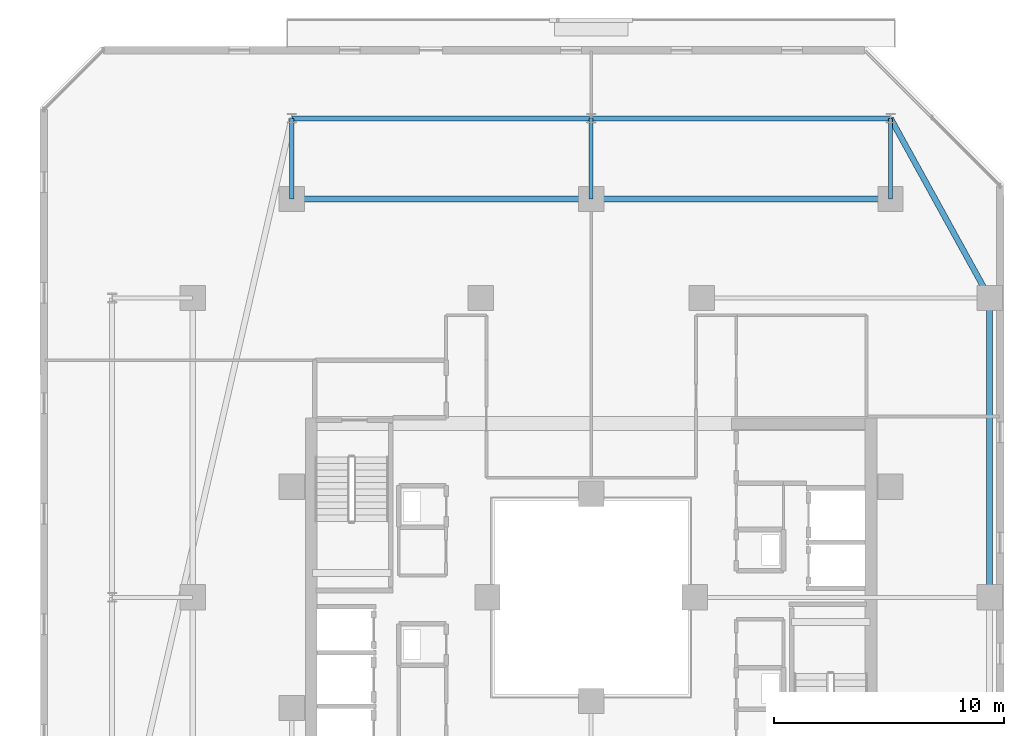
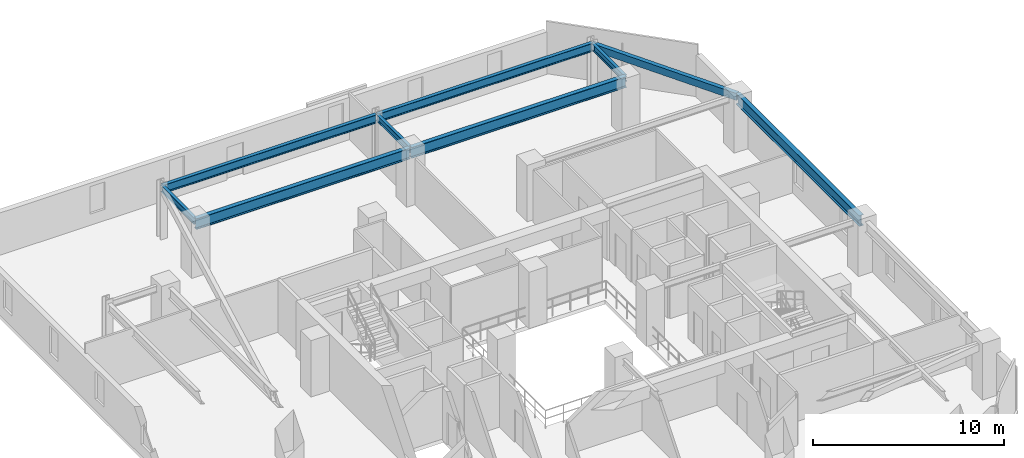
# One storey, part 16 of 32: 9 beams.
"""IFC4 building model written with IfcOpenShell, lengths in metres."""

from ifc_helpers import new_model, si_unit, direction, frame, origin, origin_2d, place, context, subcontext, project, spatial, hollow_rectangle, i_section, extrude, material, material_profile, profile_set, type_object, element, save


model = new_model("IFC4")

# Units and contexts
model_context = context("Model", 3, precision=1e-05, world=origin(), true_north=direction((0.0, 1.0)))
body_context = subcontext(model_context, "Body", "Model", "MODEL_VIEW")
ifc_project = project(units=[si_unit("LENGTHUNIT", "METRE"), si_unit("AREAUNIT", "SQUARE_METRE"), si_unit("VOLUMEUNIT", "CUBIC_METRE"), si_unit("PLANEANGLEUNIT", "RADIAN"), si_unit("MASSUNIT", "GRAM", prefix="KILO")], contexts=[model_context])

# Site, building, storey
site_placement = place(None, origin())
site = spatial("IfcSite", under=ifc_project, at=site_placement, CompositionType="ELEMENT")
building_placement = place(site_placement, origin())
building = spatial("IfcBuilding", under=site, at=building_placement, Name="Thornwick Lancets Civic Towers", CompositionType="ELEMENT")
storey_placement = place(building_placement, frame((0.0, 0.0, 178.5)))
storey = spatial("IfcBuildingStorey", under=building, at=storey_placement, Name="L47", CompositionType="ELEMENT", Elevation=178.5)

# Beams
ifc_material = material(Name="Steel S355JR", Category="steel")
ifc_material_profile_1 = material_profile(ifc_material, i_section(OverallWidth=0.210693359375, OverallDepth=0.53955078125, WebThickness=0.01171875, FlangeThickness=0.018798828125, FilletRadius=0.0126953125, at=origin_2d()), Name="UKB 533x210x109")
ifc_profile_set_1 = profile_set([ifc_material_profile_1], Name="Steel S355JR")
beam_type_1 = type_object("IfcBeamType", Name="BM_EDGE_533_109", PredefinedType="SPANDREL", material=ifc_profile_set_1)
beam_1_placement = place(storey_placement, frame((101.5, 47.800048828125, 3.09033203125), z_axis=(-1.0, 0.0, 0.0), x_axis=(0.0, -1.0, 0.0)))
element("IfcBeam", 1, at=beam_1_placement, inside=storey, type_object=beam_type_1, Name="BM-EDGE-L47-B-S1-1", PredefinedType="SPANDREL", context=body_context, shape_type="SweptSolid", body=[
    extrude(i_section(OverallWidth=0.210693359375, OverallDepth=0.53955078125, WebThickness=0.01171875, FlangeThickness=0.018798828125, FilletRadius=0.0126953125, at=origin_2d()), origin(), (0.0, 0.0, 1.0), 13.0),
])
beam_2_placement = place(storey_placement, frame((88.419921875, 47.800048828125, 3.09033203125), z_axis=(-1.0, 0.0, 0.0), x_axis=(0.0, -1.0, 0.0)))
element("IfcBeam", 2, at=beam_2_placement, inside=storey, type_object=beam_type_1, Name="BM-EDGE-L47-B-S1-2", PredefinedType="SPANDREL", context=body_context, shape_type="SweptSolid", body=[
    extrude(i_section(OverallWidth=0.210693359375, OverallDepth=0.53955078125, WebThickness=0.01171875, FlangeThickness=0.018798828125, FilletRadius=0.0126953125, at=origin_2d()), origin(), (0.0, 0.0, 1.0), 12.919921875),
])
ifc_material_profile_2 = material_profile(ifc_material, i_section(OverallWidth=0.255859375, OverallDepth=0.69287109375, WebThickness=0.014404296875, FlangeThickness=0.023681640625, FilletRadius=0.01513671875, at=origin_2d()), Name="UKB 686x254x170")
ifc_profile_set_2 = profile_set([ifc_material_profile_2], Name="Steel S355JR")
beam_type_2 = type_object("IfcBeamType", Name="BM_GIRD_686_170", PredefinedType="BEAM", material=ifc_profile_set_2)
beam_3_placement = place(storey_placement, frame((105.800048828125, 27.080078125, 3.013671875), z_axis=(0.0, 1.0, 0.0), x_axis=(-1.0, 0.0, 0.0)))
element("IfcBeam", 3, at=beam_3_placement, inside=storey, type_object=beam_type_2, Name="BM-SPINE-L47-B-1-2", PredefinedType="BEAM", context=body_context, shape_type="SweptSolid", body=[
    extrude(i_section(OverallWidth=0.255859375, OverallDepth=0.69287109375, WebThickness=0.014404296875, FlangeThickness=0.023681640625, FilletRadius=0.01513671875, at=origin_2d()), origin(), (0.0, 0.0, 1.0), 12.919921875),
])
beam_4_placement = place(storey_placement, frame((101.5, 44.300048828125, 3.013671875), z_axis=(-1.0, 0.0, 0.0), x_axis=(0.0, -1.0, 0.0)))
element("IfcBeam", 4, at=beam_4_placement, inside=storey, type_object=beam_type_2, Name="BM-SPINE-L47-B-3-4", PredefinedType="BEAM", context=body_context, shape_type="SweptSolid", body=[
    extrude(i_section(OverallWidth=0.255859375, OverallDepth=0.69287109375, WebThickness=0.014404296875, FlangeThickness=0.023681640625, FilletRadius=0.01513671875, at=origin_2d()), origin(), (0.0, 0.0, 1.0), 13.0),
])
beam_5_placement = place(storey_placement, frame((88.419921875, 44.300048828125, 3.013671875), z_axis=(-1.0, 0.0, 0.0), x_axis=(0.0, -1.0, 0.0)))
element("IfcBeam", 5, at=beam_5_placement, inside=storey, type_object=beam_type_2, Name="BM-SPINE-L47-B-4-5", PredefinedType="BEAM", context=body_context, shape_type="SweptSolid", body=[
    extrude(i_section(OverallWidth=0.255859375, OverallDepth=0.69287109375, WebThickness=0.014404296875, FlangeThickness=0.023681640625, FilletRadius=0.01513671875, at=origin_2d()), origin(), (0.0, 0.0, 1.0), 12.919921875),
])
ifc_material_profile_3 = material_profile(ifc_material, i_section(OverallWidth=0.179443359375, OverallDepth=0.412841796875, WebThickness=0.009521484375, FlangeThickness=0.01611328125, FilletRadius=0.01025390625, at=origin_2d()), Name="UKB 406x178x74")
ifc_profile_set_3 = profile_set([ifc_material_profile_3], Name="Steel S355JR")
beam_type_3 = type_object("IfcBeamType", Name="BM_JOIST_406_74", PredefinedType="JOIST", material=ifc_profile_set_3)
for number, where, z_axis, x_axis, name in (
    (6, (101.5, 44.300048828125, 3.153564453125), (0.0, 1.0, 0.0), (-1.0, 0.0, 0.0), "BM-RAD-L47-B04"),
    (7, (88.5, 44.300048828125, 3.153564453125), (0.0, 1.0, 0.0), (-1.0, 0.0, 0.0), "BM-RAD-L47-B05"),
    (8, (75.5, 44.300048828125, 3.153564453125), (0.0, 1.0, 0.0), (-1.0, 0.0, 0.0), "BM-RAD-L47-B06"),
):
    element("IfcBeam", number, at=place(storey_placement, frame(where, z_axis=z_axis, x_axis=x_axis)), inside=storey, type_object=beam_type_3, Name=name, PredefinedType="JOIST", context=body_context, shape_type="SweptSolid", body=[
        extrude(i_section(OverallWidth=0.179443359375, OverallDepth=0.412841796875, WebThickness=0.009521484375, FlangeThickness=0.01611328125, FilletRadius=0.01025390625, at=origin_2d()), origin(), (0.0, 0.0, 1.0), 3.5),
    ])
ifc_material_profile_4 = material_profile(ifc_material, hollow_rectangle(XDim=0.25, YDim=0.449951171875, WallThickness=0.01611328125, at=origin_2d()), Name="RHS 450x250x16")
ifc_profile_set_4 = profile_set([ifc_material_profile_4], Name="Steel S355JR")
beam_type_4 = type_object("IfcBeamType", Name="BM_RING_RHS450", PredefinedType="BEAM", material=ifc_profile_set_4)
beam_6_placement = place(storey_placement, frame((105.800048828125, 40.0, 3.135009765625), z_axis=(-0.482782395749, 0.875740348708, 0.0), x_axis=(-0.875740348708, -0.482782395749, 0.0)))
element("IfcBeam", 9, at=beam_6_placement, inside=storey, type_object=beam_type_4, Name="BM-CHAMF-L47-B-C0", PredefinedType="BEAM", context=body_context, shape_type="SweptSolid", body=[
    extrude(hollow_rectangle(XDim=0.25, YDim=0.449951171875, WallThickness=0.01611328125, at=origin_2d()), origin(), (0.0, 0.0, 1.0), 8.90673828125),
])

save(model, "model.ifc")
